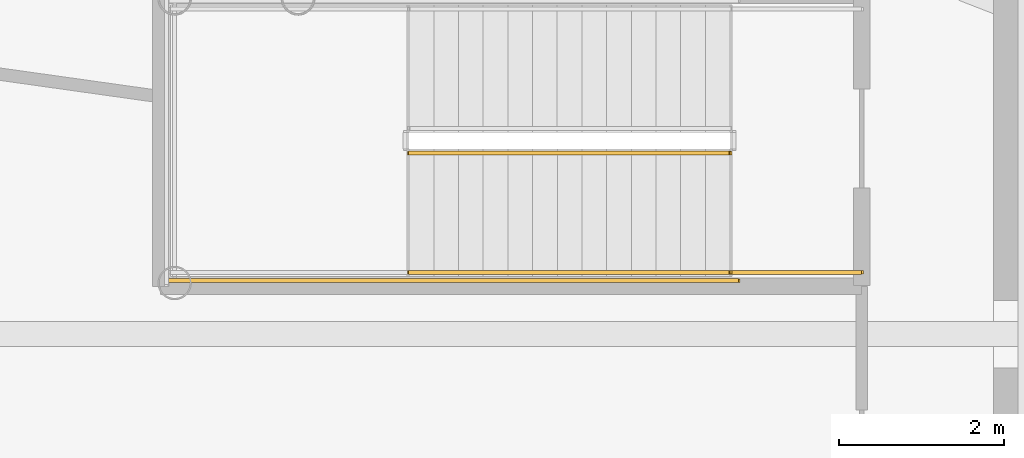
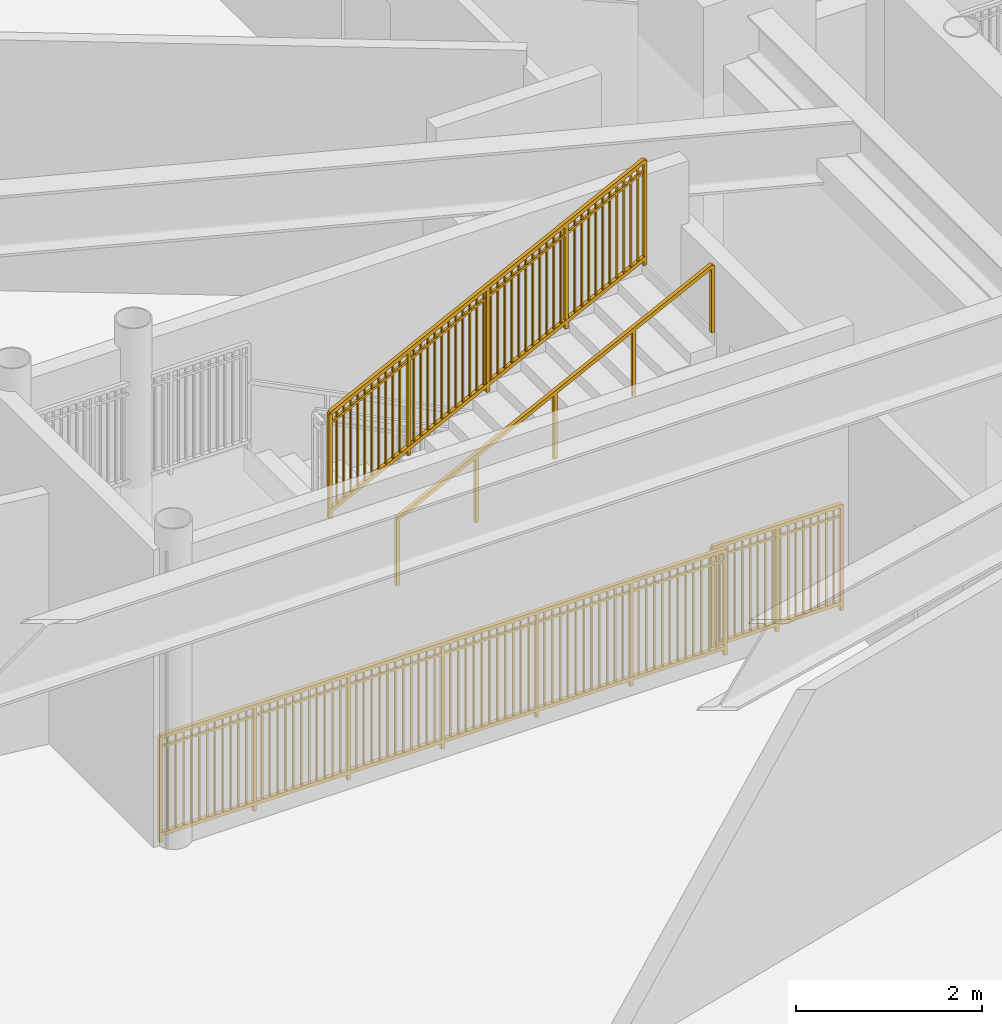
# One storey, part 19 of 27: 4 railings.
"""IFC4 building model written with IfcOpenShell, lengths in metres."""

from ifc_helpers import new_model, si_unit, direction, frame, origin, origin_2d, place, context, subcontext, project, spatial, rectangle, extrude, source, transform, mapped, material, type_object, element, save


model = new_model("IFC4")

# Units and contexts
model_context = context("Model", 3, precision=1e-05, world=origin(), true_north=direction((0.0, 1.0)))
body_context = subcontext(model_context, "Body", "Model", "MODEL_VIEW")
ifc_project = project(units=[si_unit("LENGTHUNIT", "METRE"), si_unit("AREAUNIT", "SQUARE_METRE"), si_unit("VOLUMEUNIT", "CUBIC_METRE"), si_unit("PLANEANGLEUNIT", "RADIAN"), si_unit("MASSUNIT", "GRAM", prefix="KILO")], contexts=[model_context])

# Site, building, storey
site_placement = place(None, origin())
site = spatial("IfcSite", under=ifc_project, at=site_placement, CompositionType="ELEMENT")
building_placement = place(site_placement, origin())
building = spatial("IfcBuilding", under=site, at=building_placement, Name="Linh Dai School and Residence Tower", CompositionType="ELEMENT")
storey_placement = place(building_placement, frame((0.0, 0.0, 18.60009765625)))
storey = spatial("IfcBuildingStorey", under=building, at=storey_placement, Name="L04", CompositionType="ELEMENT", Elevation=18.60009765625)

# Railings
ifc_material_1 = material(Name="Structural Steel S355JR", Category="steel")
railing_type_1 = type_object("IfcRailingType", Name="RL-ST-GUARD-1400", PredefinedType="GUARDRAIL", material=ifc_material_1)
shared_shape_1 = source(origin(), body_context, "Body", "SweptSolid", [
    extrude(rectangle(XDim=0.048095703125, YDim=0.048095703125, at=origin_2d()), frame((0.0, 0.0, 1.3759765625), z_axis=(-1.0, 0.0, 0.0), x_axis=(0.0, -1.0, 0.0)), (0.0, 0.0, 1.0), 1.60009765625),
    extrude(rectangle(XDim=0.048095703125, YDim=0.048095703125, at=origin_2d()), frame((0.0, 0.0, 0.10009765625), z_axis=(-1.0, 0.0, 0.0), x_axis=(0.0, -1.0, 0.0)), (0.0, 0.0, 1.0), 1.60009765625),
    extrude(rectangle(XDim=0.030029296875, YDim=0.030029296875, at=origin_2d()), frame((0.0, 0.0, 1.239990234375), z_axis=(-1.0, 0.0, 0.0), x_axis=(0.0, -1.0, 0.0)), (0.0, 0.0, 1.0), 1.60009765625),
    extrude(rectangle(XDim=0.02001953125, YDim=0.02001953125, at=origin_2d()), frame((-0.09423828125, 0.0, 0.10009765625)), (0.0, 0.0, 1.0), 1.251708984375),
    extrude(rectangle(XDim=0.02001953125, YDim=0.02001953125, at=origin_2d()), frame((-0.188232421875, 0.0, 0.10009765625)), (0.0, 0.0, 1.0), 1.251708984375),
    extrude(rectangle(XDim=0.02001953125, YDim=0.02001953125, at=origin_2d()), frame((-0.282470703125, 0.0, 0.10009765625)), (0.0, 0.0, 1.0), 1.251708984375),
    extrude(rectangle(XDim=0.02001953125, YDim=0.02001953125, at=origin_2d()), frame((-0.37646484375, 0.0, 0.10009765625)), (0.0, 0.0, 1.0), 1.251708984375),
    extrude(rectangle(XDim=0.02001953125, YDim=0.02001953125, at=origin_2d()), frame((-0.470703125, 0.0, 0.10009765625)), (0.0, 0.0, 1.0), 1.251708984375),
    extrude(rectangle(XDim=0.02001953125, YDim=0.02001953125, at=origin_2d()), frame((-0.564697265625, 0.0, 0.10009765625)), (0.0, 0.0, 1.0), 1.251708984375),
    extrude(rectangle(XDim=0.02001953125, YDim=0.02001953125, at=origin_2d()), frame((-0.658935546875, 0.0, 0.10009765625)), (0.0, 0.0, 1.0), 1.251708984375),
    extrude(rectangle(XDim=0.02001953125, YDim=0.02001953125, at=origin_2d()), frame((-0.7529296875, 0.0, 0.10009765625)), (0.0, 0.0, 1.0), 1.251708984375),
    extrude(rectangle(XDim=0.02001953125, YDim=0.02001953125, at=origin_2d()), frame((-0.84716796875, 0.0, 0.10009765625)), (0.0, 0.0, 1.0), 1.251708984375),
    extrude(rectangle(XDim=0.02001953125, YDim=0.02001953125, at=origin_2d()), frame((-0.941162109375, 0.0, 0.10009765625)), (0.0, 0.0, 1.0), 1.251708984375),
    extrude(rectangle(XDim=0.02001953125, YDim=0.02001953125, at=origin_2d()), frame((-1.035400390625, 0.0, 0.10009765625)), (0.0, 0.0, 1.0), 1.251708984375),
    extrude(rectangle(XDim=0.02001953125, YDim=0.02001953125, at=origin_2d()), frame((-1.12939453125, 0.0, 0.10009765625)), (0.0, 0.0, 1.0), 1.251708984375),
    extrude(rectangle(XDim=0.02001953125, YDim=0.02001953125, at=origin_2d()), frame((-1.2236328125, 0.0, 0.10009765625)), (0.0, 0.0, 1.0), 1.251708984375),
    extrude(rectangle(XDim=0.02001953125, YDim=0.02001953125, at=origin_2d()), frame((-1.317626953125, 0.0, 0.10009765625)), (0.0, 0.0, 1.0), 1.251708984375),
    extrude(rectangle(XDim=0.02001953125, YDim=0.02001953125, at=origin_2d()), frame((-1.411865234375, 0.0, 0.10009765625)), (0.0, 0.0, 1.0), 1.251708984375),
    extrude(rectangle(XDim=0.02001953125, YDim=0.02001953125, at=origin_2d()), frame((-1.505859375, 0.0, 0.10009765625)), (0.0, 0.0, 1.0), 1.251708984375),
    extrude(rectangle(XDim=0.0419921875, YDim=0.0419921875, at=origin_2d()), origin(), (0.0, 0.0, 1.0), 1.3759765625),
    extrude(rectangle(XDim=0.0419921875, YDim=0.0419921875, at=origin_2d()), frame((-0.800048828125, 0.0, 0.0)), (0.0, 0.0, 1.0), 1.3759765625),
    extrude(rectangle(XDim=0.0419921875, YDim=0.0419921875, at=origin_2d()), frame((-1.60009765625, 0.0, 0.0)), (0.0, 0.0, 1.0), 1.3759765625),
])
railing_1_placement = place(storey_placement, frame((24.0, 27.75, 0.0)))
element("IfcRailing", 1, at=railing_1_placement, inside=storey, type_object=railing_type_1, Name="L04 STS1 stair guard 9", PredefinedType="GUARDRAIL", context=body_context, shape_type="MappedRepresentation", body=[
    mapped(shared_shape_1, transform((0.0, 0.0, 0.0), x_axis=(1.0, 0.0, 0.0), y_axis=(0.0, 1.0, 0.0), z_axis=(0.0, 0.0, 1.0), scale=1.0)),
])
shared_shape_2 = source(origin(), body_context, "Body", "SweptSolid", [
    extrude(rectangle(XDim=0.048095703125, YDim=0.048095703125, at=origin_2d()), frame((0.0, 0.0, 1.3759765625), z_axis=(0.894427191, 0.0, 0.4472135955), x_axis=(0.0, 1.0, 0.0)), (0.0, 0.0, 1.0), 4.360107421875),
    extrude(rectangle(XDim=0.048095703125, YDim=0.048095703125, at=origin_2d()), frame((0.0, 0.0, 0.10009765625), z_axis=(0.894427191, 0.0, 0.4472135955), x_axis=(0.0, 1.0, 0.0)), (0.0, 0.0, 1.0), 4.360107421875),
    extrude(rectangle(XDim=0.030029296875, YDim=0.030029296875, at=origin_2d()), frame((0.0, 0.0, 1.239990234375), z_axis=(0.894427191, 0.0, 0.4472135955), x_axis=(0.0, 1.0, 0.0)), (0.0, 0.0, 1.0), 4.360107421875),
    extrude(rectangle(XDim=0.02001953125, YDim=0.02001953125, at=origin_2d()), frame((0.086669921875, 0.0, 0.143310546875)), (0.0, 0.0, 1.0), 1.251708984375),
    extrude(rectangle(XDim=0.02001953125, YDim=0.02001953125, at=origin_2d()), frame((0.17333984375, 0.0, 0.186767578125)), (0.0, 0.0, 1.0), 1.251708984375),
    extrude(rectangle(XDim=0.02001953125, YDim=0.02001953125, at=origin_2d()), frame((0.260009765625, 0.0, 0.22998046875)), (0.0, 0.0, 1.0), 1.251708984375),
    extrude(rectangle(XDim=0.02001953125, YDim=0.02001953125, at=origin_2d()), frame((0.3466796875, 0.0, 0.2734375)), (0.0, 0.0, 1.0), 1.251708984375),
    extrude(rectangle(XDim=0.02001953125, YDim=0.02001953125, at=origin_2d()), frame((0.433349609375, 0.0, 0.316650390625)), (0.0, 0.0, 1.0), 1.251708984375),
    extrude(rectangle(XDim=0.02001953125, YDim=0.02001953125, at=origin_2d()), frame((0.52001953125, 0.0, 0.360107421875)), (0.0, 0.0, 1.0), 1.251708984375),
    extrude(rectangle(XDim=0.02001953125, YDim=0.02001953125, at=origin_2d()), frame((0.606689453125, 0.0, 0.4033203125)), (0.0, 0.0, 1.0), 1.251708984375),
    extrude(rectangle(XDim=0.02001953125, YDim=0.02001953125, at=origin_2d()), frame((0.693359375, 0.0, 0.44677734375)), (0.0, 0.0, 1.0), 1.251708984375),
    extrude(rectangle(XDim=0.02001953125, YDim=0.02001953125, at=origin_2d()), frame((0.780029296875, 0.0, 0.489990234375)), (0.0, 0.0, 1.0), 1.251708984375),
    extrude(rectangle(XDim=0.02001953125, YDim=0.02001953125, at=origin_2d()), frame((0.86669921875, 0.0, 0.533447265625)), (0.0, 0.0, 1.0), 1.251708984375),
    extrude(rectangle(XDim=0.02001953125, YDim=0.02001953125, at=origin_2d()), frame((1.0400390625, 0.0, 0.6201171875)), (0.0, 0.0, 1.0), 1.251708984375),
    extrude(rectangle(XDim=0.02001953125, YDim=0.02001953125, at=origin_2d()), frame((1.126708984375, 0.0, 0.663330078125)), (0.0, 0.0, 1.0), 1.251708984375),
    extrude(rectangle(XDim=0.02001953125, YDim=0.02001953125, at=origin_2d()), frame((1.21337890625, 0.0, 0.706787109375)), (0.0, 0.0, 1.0), 1.251708984375),
    extrude(rectangle(XDim=0.02001953125, YDim=0.02001953125, at=origin_2d()), frame((1.300048828125, 0.0, 0.75)), (0.0, 0.0, 1.0), 1.251708984375),
    extrude(rectangle(XDim=0.02001953125, YDim=0.02001953125, at=origin_2d()), frame((1.38671875, 0.0, 0.79345703125)), (0.0, 0.0, 1.0), 1.251708984375),
    extrude(rectangle(XDim=0.02001953125, YDim=0.02001953125, at=origin_2d()), frame((1.473388671875, 0.0, 0.836669921875)), (0.0, 0.0, 1.0), 1.251708984375),
    extrude(rectangle(XDim=0.02001953125, YDim=0.02001953125, at=origin_2d()), frame((1.56005859375, 0.0, 0.880126953125)), (0.0, 0.0, 1.0), 1.251708984375),
    extrude(rectangle(XDim=0.02001953125, YDim=0.02001953125, at=origin_2d()), frame((1.646728515625, 0.0, 0.92333984375)), (0.0, 0.0, 1.0), 1.251708984375),
    extrude(rectangle(XDim=0.02001953125, YDim=0.02001953125, at=origin_2d()), frame((1.7333984375, 0.0, 0.966796875)), (0.0, 0.0, 1.0), 1.251708984375),
    extrude(rectangle(XDim=0.02001953125, YDim=0.02001953125, at=origin_2d()), frame((1.820068359375, 0.0, 1.010009765625)), (0.0, 0.0, 1.0), 1.251708984375),
    extrude(rectangle(XDim=0.02001953125, YDim=0.02001953125, at=origin_2d()), frame((1.90673828125, 0.0, 1.053466796875)), (0.0, 0.0, 1.0), 1.251708984375),
    extrude(rectangle(XDim=0.02001953125, YDim=0.02001953125, at=origin_2d()), frame((1.9931640625, 0.0, 1.0966796875)), (0.0, 0.0, 1.0), 1.251708984375),
    extrude(rectangle(XDim=0.02001953125, YDim=0.02001953125, at=origin_2d()), frame((2.079833984375, 0.0, 1.14013671875)), (0.0, 0.0, 1.0), 1.251708984375),
    extrude(rectangle(XDim=0.02001953125, YDim=0.02001953125, at=origin_2d()), frame((2.16650390625, 0.0, 1.183349609375)), (0.0, 0.0, 1.0), 1.251708984375),
    extrude(rectangle(XDim=0.02001953125, YDim=0.02001953125, at=origin_2d()), frame((2.253173828125, 0.0, 1.226806640625)), (0.0, 0.0, 1.0), 1.251708984375),
    extrude(rectangle(XDim=0.02001953125, YDim=0.02001953125, at=origin_2d()), frame((2.33984375, 0.0, 1.27001953125)), (0.0, 0.0, 1.0), 1.251708984375),
    extrude(rectangle(XDim=0.02001953125, YDim=0.02001953125, at=origin_2d()), frame((2.426513671875, 0.0, 1.3134765625)), (0.0, 0.0, 1.0), 1.251708984375),
    extrude(rectangle(XDim=0.02001953125, YDim=0.02001953125, at=origin_2d()), frame((2.51318359375, 0.0, 1.356689453125)), (0.0, 0.0, 1.0), 1.251708984375),
    extrude(rectangle(XDim=0.02001953125, YDim=0.02001953125, at=origin_2d()), frame((2.599853515625, 0.0, 1.400146484375)), (0.0, 0.0, 1.0), 1.251708984375),
    extrude(rectangle(XDim=0.02001953125, YDim=0.02001953125, at=origin_2d()), frame((2.6865234375, 0.0, 1.443359375)), (0.0, 0.0, 1.0), 1.251708984375),
    extrude(rectangle(XDim=0.02001953125, YDim=0.02001953125, at=origin_2d()), frame((2.773193359375, 0.0, 1.48681640625)), (0.0, 0.0, 1.0), 1.251708984375),
    extrude(rectangle(XDim=0.02001953125, YDim=0.02001953125, at=origin_2d()), frame((2.85986328125, 0.0, 1.530029296875)), (0.0, 0.0, 1.0), 1.251708984375),
    extrude(rectangle(XDim=0.02001953125, YDim=0.02001953125, at=origin_2d()), frame((3.033203125, 0.0, 1.61669921875)), (0.0, 0.0, 1.0), 1.251708984375),
    extrude(rectangle(XDim=0.02001953125, YDim=0.02001953125, at=origin_2d()), frame((3.119873046875, 0.0, 1.66015625)), (0.0, 0.0, 1.0), 1.251708984375),
    extrude(rectangle(XDim=0.02001953125, YDim=0.02001953125, at=origin_2d()), frame((3.20654296875, 0.0, 1.703369140625)), (0.0, 0.0, 1.0), 1.251708984375),
    extrude(rectangle(XDim=0.02001953125, YDim=0.02001953125, at=origin_2d()), frame((3.293212890625, 0.0, 1.746826171875)), (0.0, 0.0, 1.0), 1.251708984375),
    extrude(rectangle(XDim=0.02001953125, YDim=0.02001953125, at=origin_2d()), frame((3.3798828125, 0.0, 1.7900390625)), (0.0, 0.0, 1.0), 1.251708984375),
    extrude(rectangle(XDim=0.02001953125, YDim=0.02001953125, at=origin_2d()), frame((3.466552734375, 0.0, 1.83349609375)), (0.0, 0.0, 1.0), 1.251708984375),
    extrude(rectangle(XDim=0.02001953125, YDim=0.02001953125, at=origin_2d()), frame((3.55322265625, 0.0, 1.876708984375)), (0.0, 0.0, 1.0), 1.251708984375),
    extrude(rectangle(XDim=0.02001953125, YDim=0.02001953125, at=origin_2d()), frame((3.639892578125, 0.0, 1.920166015625)), (0.0, 0.0, 1.0), 1.251708984375),
    extrude(rectangle(XDim=0.02001953125, YDim=0.02001953125, at=origin_2d()), frame((3.7265625, 0.0, 1.96337890625)), (0.0, 0.0, 1.0), 1.251708984375),
    extrude(rectangle(XDim=0.02001953125, YDim=0.02001953125, at=origin_2d()), frame((3.813232421875, 0.0, 2.0068359375)), (0.0, 0.0, 1.0), 1.251708984375),
    extrude(rectangle(XDim=0.0419921875, YDim=0.0419921875, at=origin_2d()), origin(), (0.0, 0.0, 1.0), 1.3759765625),
    extrude(rectangle(XDim=0.0419921875, YDim=0.0419921875, at=origin_2d()), frame((0.97509765625, 0.0, 0.487548828125)), (0.0, 0.0, 1.0), 1.3759765625),
    extrude(rectangle(XDim=0.0419921875, YDim=0.0419921875, at=origin_2d()), frame((1.949951171875, 0.0, 0.97509765625)), (0.0, 0.0, 1.0), 1.3759765625),
    extrude(rectangle(XDim=0.0419921875, YDim=0.0419921875, at=origin_2d()), frame((2.9248046875, 0.0, 1.46240234375)), (0.0, 0.0, 1.0), 1.3759765625),
    extrude(rectangle(XDim=0.0419921875, YDim=0.0419921875, at=origin_2d()), frame((3.89990234375, 0.0, 1.949951171875)), (0.0, 0.0, 1.0), 1.3759765625),
])
railing_2_placement = place(storey_placement, frame((18.5, 29.199951171875, 2.25)))
element("IfcRailing", 2, at=railing_2_placement, inside=storey, type_object=railing_type_1, Name="L04 STS1 stair guard 6", PredefinedType="GUARDRAIL", context=body_context, shape_type="MappedRepresentation", body=[
    mapped(shared_shape_2, transform((0.0, 0.0, 0.0), x_axis=(1.0, 0.0, 0.0), y_axis=(0.0, 1.0, 0.0), z_axis=(0.0, 0.0, 1.0), scale=1.0)),
])
shared_shape_3 = source(origin(), body_context, "Body", "SweptSolid", [
    extrude(rectangle(XDim=0.048095703125, YDim=0.048095703125, at=origin_2d()), frame((0.0, 0.0, 1.3759765625), z_axis=(-1.0, 0.0, 0.0), x_axis=(0.0, -1.0, 0.0)), (0.0, 0.0, 1.0), 7.0),
    extrude(rectangle(XDim=0.048095703125, YDim=0.048095703125, at=origin_2d()), frame((0.0, 0.0, 0.10009765625), z_axis=(-1.0, 0.0, 0.0), x_axis=(0.0, -1.0, 0.0)), (0.0, 0.0, 1.0), 7.0),
    extrude(rectangle(XDim=0.030029296875, YDim=0.030029296875, at=origin_2d()), frame((0.0, 0.0, 1.239990234375), z_axis=(-1.0, 0.0, 0.0), x_axis=(0.0, -1.0, 0.0)), (0.0, 0.0, 1.0), 7.0),
    extrude(rectangle(XDim=0.02001953125, YDim=0.02001953125, at=origin_2d()), frame((-0.09716796875, 0.0, 0.10009765625)), (0.0, 0.0, 1.0), 1.251708984375),
    extrude(rectangle(XDim=0.02001953125, YDim=0.02001953125, at=origin_2d()), frame((-0.1943359375, 0.0, 0.10009765625)), (0.0, 0.0, 1.0), 1.251708984375),
    extrude(rectangle(XDim=0.02001953125, YDim=0.02001953125, at=origin_2d()), frame((-0.291748046875, 0.0, 0.10009765625)), (0.0, 0.0, 1.0), 1.251708984375),
    extrude(rectangle(XDim=0.02001953125, YDim=0.02001953125, at=origin_2d()), frame((-0.388916015625, 0.0, 0.10009765625)), (0.0, 0.0, 1.0), 1.251708984375),
    extrude(rectangle(XDim=0.02001953125, YDim=0.02001953125, at=origin_2d()), frame((-0.486083984375, 0.0, 0.10009765625)), (0.0, 0.0, 1.0), 1.251708984375),
    extrude(rectangle(XDim=0.02001953125, YDim=0.02001953125, at=origin_2d()), frame((-0.583251953125, 0.0, 0.10009765625)), (0.0, 0.0, 1.0), 1.251708984375),
    extrude(rectangle(XDim=0.02001953125, YDim=0.02001953125, at=origin_2d()), frame((-0.6806640625, 0.0, 0.10009765625)), (0.0, 0.0, 1.0), 1.251708984375),
    extrude(rectangle(XDim=0.02001953125, YDim=0.02001953125, at=origin_2d()), frame((-0.77783203125, 0.0, 0.10009765625)), (0.0, 0.0, 1.0), 1.251708984375),
    extrude(rectangle(XDim=0.02001953125, YDim=0.02001953125, at=origin_2d()), frame((-0.875, 0.0, 0.10009765625)), (0.0, 0.0, 1.0), 1.251708984375),
    extrude(rectangle(XDim=0.02001953125, YDim=0.02001953125, at=origin_2d()), frame((-0.97216796875, 0.0, 0.10009765625)), (0.0, 0.0, 1.0), 1.251708984375),
    extrude(rectangle(XDim=0.02001953125, YDim=0.02001953125, at=origin_2d()), frame((-1.0693359375, 0.0, 0.10009765625)), (0.0, 0.0, 1.0), 1.251708984375),
    extrude(rectangle(XDim=0.02001953125, YDim=0.02001953125, at=origin_2d()), frame((-1.263916015625, 0.0, 0.10009765625)), (0.0, 0.0, 1.0), 1.251708984375),
    extrude(rectangle(XDim=0.02001953125, YDim=0.02001953125, at=origin_2d()), frame((-1.361083984375, 0.0, 0.10009765625)), (0.0, 0.0, 1.0), 1.251708984375),
    extrude(rectangle(XDim=0.02001953125, YDim=0.02001953125, at=origin_2d()), frame((-1.458251953125, 0.0, 0.10009765625)), (0.0, 0.0, 1.0), 1.251708984375),
    extrude(rectangle(XDim=0.02001953125, YDim=0.02001953125, at=origin_2d()), frame((-1.5556640625, 0.0, 0.10009765625)), (0.0, 0.0, 1.0), 1.251708984375),
    extrude(rectangle(XDim=0.02001953125, YDim=0.02001953125, at=origin_2d()), frame((-1.65283203125, 0.0, 0.10009765625)), (0.0, 0.0, 1.0), 1.251708984375),
    extrude(rectangle(XDim=0.02001953125, YDim=0.02001953125, at=origin_2d()), frame((-1.75, 0.0, 0.10009765625)), (0.0, 0.0, 1.0), 1.251708984375),
    extrude(rectangle(XDim=0.02001953125, YDim=0.02001953125, at=origin_2d()), frame((-1.84716796875, 0.0, 0.10009765625)), (0.0, 0.0, 1.0), 1.251708984375),
    extrude(rectangle(XDim=0.02001953125, YDim=0.02001953125, at=origin_2d()), frame((-1.9443359375, 0.0, 0.10009765625)), (0.0, 0.0, 1.0), 1.251708984375),
    extrude(rectangle(XDim=0.02001953125, YDim=0.02001953125, at=origin_2d()), frame((-2.041748046875, 0.0, 0.10009765625)), (0.0, 0.0, 1.0), 1.251708984375),
    extrude(rectangle(XDim=0.02001953125, YDim=0.02001953125, at=origin_2d()), frame((-2.138916015625, 0.0, 0.10009765625)), (0.0, 0.0, 1.0), 1.251708984375),
    extrude(rectangle(XDim=0.02001953125, YDim=0.02001953125, at=origin_2d()), frame((-2.236083984375, 0.0, 0.10009765625)), (0.0, 0.0, 1.0), 1.251708984375),
    extrude(rectangle(XDim=0.02001953125, YDim=0.02001953125, at=origin_2d()), frame((-2.4306640625, 0.0, 0.10009765625)), (0.0, 0.0, 1.0), 1.251708984375),
    extrude(rectangle(XDim=0.02001953125, YDim=0.02001953125, at=origin_2d()), frame((-2.52783203125, 0.0, 0.10009765625)), (0.0, 0.0, 1.0), 1.251708984375),
    extrude(rectangle(XDim=0.02001953125, YDim=0.02001953125, at=origin_2d()), frame((-2.625, 0.0, 0.10009765625)), (0.0, 0.0, 1.0), 1.251708984375),
    extrude(rectangle(XDim=0.02001953125, YDim=0.02001953125, at=origin_2d()), frame((-2.72216796875, 0.0, 0.10009765625)), (0.0, 0.0, 1.0), 1.251708984375),
    extrude(rectangle(XDim=0.02001953125, YDim=0.02001953125, at=origin_2d()), frame((-2.8193359375, 0.0, 0.10009765625)), (0.0, 0.0, 1.0), 1.251708984375),
    extrude(rectangle(XDim=0.02001953125, YDim=0.02001953125, at=origin_2d()), frame((-2.916748046875, 0.0, 0.10009765625)), (0.0, 0.0, 1.0), 1.251708984375),
    extrude(rectangle(XDim=0.02001953125, YDim=0.02001953125, at=origin_2d()), frame((-3.013916015625, 0.0, 0.10009765625)), (0.0, 0.0, 1.0), 1.251708984375),
    extrude(rectangle(XDim=0.02001953125, YDim=0.02001953125, at=origin_2d()), frame((-3.111083984375, 0.0, 0.10009765625)), (0.0, 0.0, 1.0), 1.251708984375),
    extrude(rectangle(XDim=0.02001953125, YDim=0.02001953125, at=origin_2d()), frame((-3.208251953125, 0.0, 0.10009765625)), (0.0, 0.0, 1.0), 1.251708984375),
    extrude(rectangle(XDim=0.02001953125, YDim=0.02001953125, at=origin_2d()), frame((-3.3056640625, 0.0, 0.10009765625)), (0.0, 0.0, 1.0), 1.251708984375),
    extrude(rectangle(XDim=0.02001953125, YDim=0.02001953125, at=origin_2d()), frame((-3.40283203125, 0.0, 0.10009765625)), (0.0, 0.0, 1.0), 1.251708984375),
    extrude(rectangle(XDim=0.02001953125, YDim=0.02001953125, at=origin_2d()), frame((-3.59716796875, 0.0, 0.10009765625)), (0.0, 0.0, 1.0), 1.251708984375),
    extrude(rectangle(XDim=0.02001953125, YDim=0.02001953125, at=origin_2d()), frame((-3.6943359375, 0.0, 0.10009765625)), (0.0, 0.0, 1.0), 1.251708984375),
    extrude(rectangle(XDim=0.02001953125, YDim=0.02001953125, at=origin_2d()), frame((-3.791748046875, 0.0, 0.10009765625)), (0.0, 0.0, 1.0), 1.251708984375),
    extrude(rectangle(XDim=0.02001953125, YDim=0.02001953125, at=origin_2d()), frame((-3.888916015625, 0.0, 0.10009765625)), (0.0, 0.0, 1.0), 1.251708984375),
    extrude(rectangle(XDim=0.02001953125, YDim=0.02001953125, at=origin_2d()), frame((-3.986083984375, 0.0, 0.10009765625)), (0.0, 0.0, 1.0), 1.251708984375),
    extrude(rectangle(XDim=0.02001953125, YDim=0.02001953125, at=origin_2d()), frame((-4.083251953125, 0.0, 0.10009765625)), (0.0, 0.0, 1.0), 1.251708984375),
    extrude(rectangle(XDim=0.02001953125, YDim=0.02001953125, at=origin_2d()), frame((-4.1806640625, 0.0, 0.10009765625)), (0.0, 0.0, 1.0), 1.251708984375),
    extrude(rectangle(XDim=0.02001953125, YDim=0.02001953125, at=origin_2d()), frame((-4.27783203125, 0.0, 0.10009765625)), (0.0, 0.0, 1.0), 1.251708984375),
    extrude(rectangle(XDim=0.02001953125, YDim=0.02001953125, at=origin_2d()), frame((-4.375, 0.0, 0.10009765625)), (0.0, 0.0, 1.0), 1.251708984375),
    extrude(rectangle(XDim=0.02001953125, YDim=0.02001953125, at=origin_2d()), frame((-4.47216796875, 0.0, 0.10009765625)), (0.0, 0.0, 1.0), 1.251708984375),
    extrude(rectangle(XDim=0.02001953125, YDim=0.02001953125, at=origin_2d()), frame((-4.5693359375, 0.0, 0.10009765625)), (0.0, 0.0, 1.0), 1.251708984375),
    extrude(rectangle(XDim=0.02001953125, YDim=0.02001953125, at=origin_2d()), frame((-4.763916015625, 0.0, 0.10009765625)), (0.0, 0.0, 1.0), 1.251708984375),
    extrude(rectangle(XDim=0.02001953125, YDim=0.02001953125, at=origin_2d()), frame((-4.861083984375, 0.0, 0.10009765625)), (0.0, 0.0, 1.0), 1.251708984375),
    extrude(rectangle(XDim=0.02001953125, YDim=0.02001953125, at=origin_2d()), frame((-4.958251953125, 0.0, 0.10009765625)), (0.0, 0.0, 1.0), 1.251708984375),
    extrude(rectangle(XDim=0.02001953125, YDim=0.02001953125, at=origin_2d()), frame((-5.0556640625, 0.0, 0.10009765625)), (0.0, 0.0, 1.0), 1.251708984375),
    extrude(rectangle(XDim=0.02001953125, YDim=0.02001953125, at=origin_2d()), frame((-5.15283203125, 0.0, 0.10009765625)), (0.0, 0.0, 1.0), 1.251708984375),
    extrude(rectangle(XDim=0.02001953125, YDim=0.02001953125, at=origin_2d()), frame((-5.25, 0.0, 0.10009765625)), (0.0, 0.0, 1.0), 1.251708984375),
    extrude(rectangle(XDim=0.02001953125, YDim=0.02001953125, at=origin_2d()), frame((-5.34716796875, 0.0, 0.10009765625)), (0.0, 0.0, 1.0), 1.251708984375),
    extrude(rectangle(XDim=0.02001953125, YDim=0.02001953125, at=origin_2d()), frame((-5.4443359375, 0.0, 0.10009765625)), (0.0, 0.0, 1.0), 1.251708984375),
    extrude(rectangle(XDim=0.02001953125, YDim=0.02001953125, at=origin_2d()), frame((-5.541748046875, 0.0, 0.10009765625)), (0.0, 0.0, 1.0), 1.251708984375),
    extrude(rectangle(XDim=0.02001953125, YDim=0.02001953125, at=origin_2d()), frame((-5.638916015625, 0.0, 0.10009765625)), (0.0, 0.0, 1.0), 1.251708984375),
    extrude(rectangle(XDim=0.02001953125, YDim=0.02001953125, at=origin_2d()), frame((-5.736083984375, 0.0, 0.10009765625)), (0.0, 0.0, 1.0), 1.251708984375),
    extrude(rectangle(XDim=0.02001953125, YDim=0.02001953125, at=origin_2d()), frame((-5.9306640625, 0.0, 0.10009765625)), (0.0, 0.0, 1.0), 1.251708984375),
    extrude(rectangle(XDim=0.02001953125, YDim=0.02001953125, at=origin_2d()), frame((-6.02783203125, 0.0, 0.10009765625)), (0.0, 0.0, 1.0), 1.251708984375),
    extrude(rectangle(XDim=0.02001953125, YDim=0.02001953125, at=origin_2d()), frame((-6.125, 0.0, 0.10009765625)), (0.0, 0.0, 1.0), 1.251708984375),
    extrude(rectangle(XDim=0.02001953125, YDim=0.02001953125, at=origin_2d()), frame((-6.22216796875, 0.0, 0.10009765625)), (0.0, 0.0, 1.0), 1.251708984375),
    extrude(rectangle(XDim=0.02001953125, YDim=0.02001953125, at=origin_2d()), frame((-6.3193359375, 0.0, 0.10009765625)), (0.0, 0.0, 1.0), 1.251708984375),
    extrude(rectangle(XDim=0.02001953125, YDim=0.02001953125, at=origin_2d()), frame((-6.416748046875, 0.0, 0.10009765625)), (0.0, 0.0, 1.0), 1.251708984375),
    extrude(rectangle(XDim=0.02001953125, YDim=0.02001953125, at=origin_2d()), frame((-6.513916015625, 0.0, 0.10009765625)), (0.0, 0.0, 1.0), 1.251708984375),
    extrude(rectangle(XDim=0.02001953125, YDim=0.02001953125, at=origin_2d()), frame((-6.611083984375, 0.0, 0.10009765625)), (0.0, 0.0, 1.0), 1.251708984375),
    extrude(rectangle(XDim=0.02001953125, YDim=0.02001953125, at=origin_2d()), frame((-6.708251953125, 0.0, 0.10009765625)), (0.0, 0.0, 1.0), 1.251708984375),
    extrude(rectangle(XDim=0.02001953125, YDim=0.02001953125, at=origin_2d()), frame((-6.8056640625, 0.0, 0.10009765625)), (0.0, 0.0, 1.0), 1.251708984375),
    extrude(rectangle(XDim=0.02001953125, YDim=0.02001953125, at=origin_2d()), frame((-6.90283203125, 0.0, 0.10009765625)), (0.0, 0.0, 1.0), 1.251708984375),
    extrude(rectangle(XDim=0.0419921875, YDim=0.0419921875, at=origin_2d()), origin(), (0.0, 0.0, 1.0), 1.3759765625),
    extrude(rectangle(XDim=0.0419921875, YDim=0.0419921875, at=origin_2d()), frame((-1.166748046875, 0.0, 0.0)), (0.0, 0.0, 1.0), 1.3759765625),
    extrude(rectangle(XDim=0.0419921875, YDim=0.0419921875, at=origin_2d()), frame((-2.333251953125, 0.0, 0.0)), (0.0, 0.0, 1.0), 1.3759765625),
    extrude(rectangle(XDim=0.0419921875, YDim=0.0419921875, at=origin_2d()), frame((-3.5, 0.0, 0.0)), (0.0, 0.0, 1.0), 1.3759765625),
    extrude(rectangle(XDim=0.0419921875, YDim=0.0419921875, at=origin_2d()), frame((-4.666748046875, 0.0, 0.0)), (0.0, 0.0, 1.0), 1.3759765625),
    extrude(rectangle(XDim=0.0419921875, YDim=0.0419921875, at=origin_2d()), frame((-5.833251953125, 0.0, 0.0)), (0.0, 0.0, 1.0), 1.3759765625),
    extrude(rectangle(XDim=0.0419921875, YDim=0.0419921875, at=origin_2d()), frame((-7.0, 0.0, 0.0)), (0.0, 0.0, 1.0), 1.3759765625),
])
railing_3_placement = place(storey_placement, frame((22.5, 27.64990234375, 0.0)))
element("IfcRailing", 3, at=railing_3_placement, inside=storey, type_object=railing_type_1, Name="L04 STS1 stair guard 11", PredefinedType="GUARDRAIL", context=body_context, shape_type="MappedRepresentation", body=[
    mapped(shared_shape_3, transform((0.0, 0.0, 0.0), x_axis=(1.0, 0.0, 0.0), y_axis=(0.0, 1.0, 0.0), z_axis=(0.0, 0.0, 1.0), scale=1.0)),
])
ifc_material_2 = material(Name="Brushed Stainless Steel Handrail", Category="steel")
railing_type_2 = type_object("IfcRailingType", Name="RL-ST-HANDRAIL-900", PredefinedType="HANDRAIL", material=ifc_material_2)
shared_shape_4 = source(origin(), body_context, "Body", "SweptSolid", [
    extrude(rectangle(XDim=0.048095703125, YDim=0.048095703125, at=origin_2d()), frame((0.0, 0.0, 0.8759765625), z_axis=(0.894427191, 0.0, 0.4472135955), x_axis=(0.0, 1.0, 0.0)), (0.0, 0.0, 1.0), 4.360107421875),
    extrude(rectangle(XDim=0.0419921875, YDim=0.0419921875, at=origin_2d()), origin(), (0.0, 0.0, 1.0), 0.8759765625),
    extrude(rectangle(XDim=0.0419921875, YDim=0.0419921875, at=origin_2d()), frame((0.97509765625, 0.0, 0.487548828125)), (0.0, 0.0, 1.0), 0.8759765625),
    extrude(rectangle(XDim=0.0419921875, YDim=0.0419921875, at=origin_2d()), frame((1.949951171875, 0.0, 0.97509765625)), (0.0, 0.0, 1.0), 0.8759765625),
    extrude(rectangle(XDim=0.0419921875, YDim=0.0419921875, at=origin_2d()), frame((2.9248046875, 0.0, 1.46240234375)), (0.0, 0.0, 1.0), 0.8759765625),
    extrude(rectangle(XDim=0.0419921875, YDim=0.0419921875, at=origin_2d()), frame((3.89990234375, 0.0, 1.949951171875)), (0.0, 0.0, 1.0), 0.8759765625),
])
railing_4_placement = place(storey_placement, frame((18.5, 27.75, 2.25)))
element("IfcRailing", 4, at=railing_4_placement, inside=storey, type_object=railing_type_2, Name="L04 STS1 stair handrail 2", PredefinedType="HANDRAIL", context=body_context, shape_type="MappedRepresentation", body=[
    mapped(shared_shape_4, transform((0.0, 0.0, 0.0), x_axis=(1.0, 0.0, 0.0), y_axis=(0.0, 1.0, 0.0), z_axis=(0.0, 0.0, 1.0), scale=1.0)),
])

save(model, "model.ifc")
